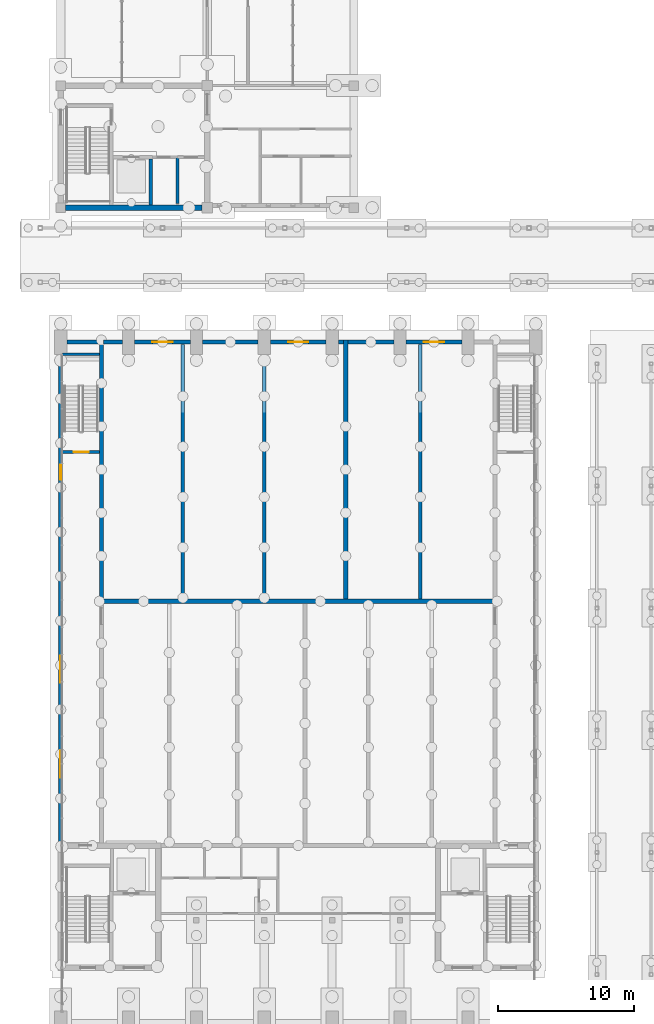
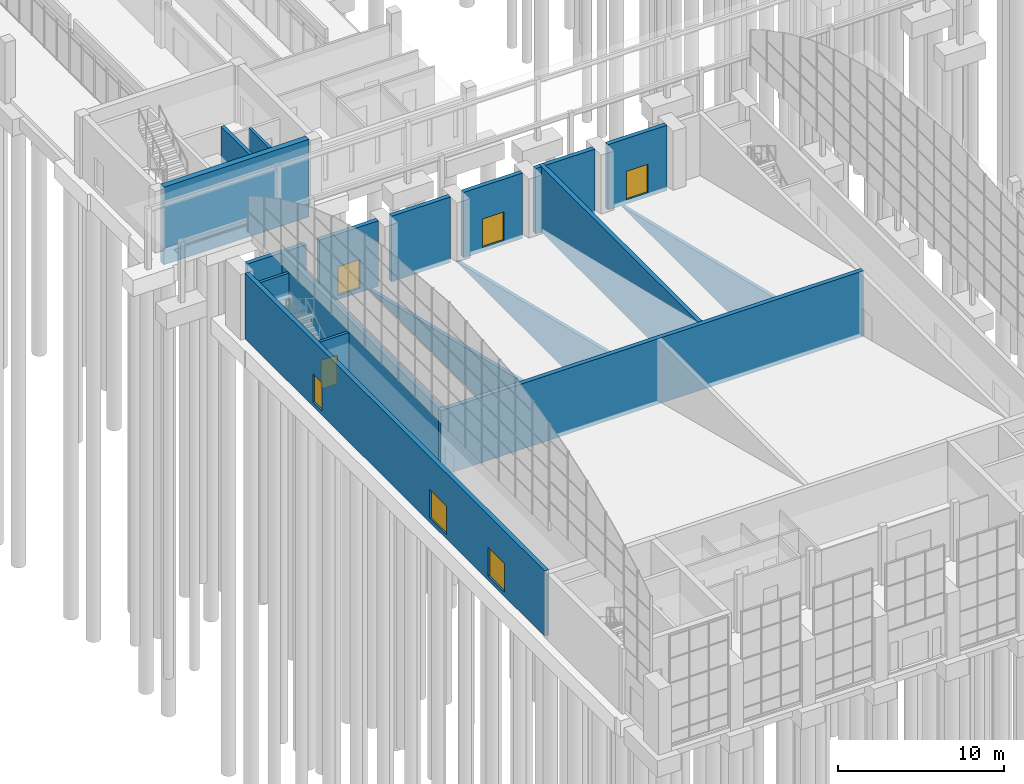
# One storey, part 68 of 106: 20 walls, 7 doors, 7 openings.
"""IFC4 building model written with IfcOpenShell, lengths in metres."""

from ifc_helpers import new_model, si_unit, direction, frame, frame_2d, origin, place, context, subcontext, project, spatial, polyline, rectangle, outline, extrude, material, layer, layer_set, type_object, element, fill, save


model = new_model("IFC4")

# Units and contexts
model_context = context("Model", 3, precision=1e-05, world=origin(), true_north=direction((0.0, 1.0)))
body_context = subcontext(model_context, "Body", "Model", "MODEL_VIEW")
ifc_project = project(units=[si_unit("LENGTHUNIT", "METRE"), si_unit("AREAUNIT", "SQUARE_METRE"), si_unit("VOLUMEUNIT", "CUBIC_METRE"), si_unit("PLANEANGLEUNIT", "RADIAN"), si_unit("MASSUNIT", "GRAM", prefix="KILO")], contexts=[model_context])

# Site, building, storey
site_placement = place(None, origin())
site = spatial("IfcSite", under=ifc_project, at=site_placement, CompositionType="ELEMENT")
building_placement = place(site_placement, origin())
building = spatial("IfcBuilding", under=site, at=building_placement, Name="Merrow Basin Faculty of Sciences", CompositionType="ELEMENT")
storey_placement = place(building_placement, origin())
storey = spatial("IfcBuildingStorey", under=building, at=storey_placement, Name="L00", CompositionType="ELEMENT", Elevation=0.0)

# Walls
ifc_material_1 = material(Name="Concrete C40/50", Category="concrete")
ifc_layer_1 = layer(ifc_material_1, 0.300048828125)
ifc_layer_set_1 = layer_set([ifc_layer_1], Name="Hall wall 300 Concrete C40/50")
wall_type_1 = type_object("IfcWallType", Name="Hall wall 300 Concrete C40/50", PredefinedType="SHEAR", material=ifc_layer_set_1)
wall_1_placement = place(storey_placement, frame((2.85009765625, 32.0, -0.300048828125), z_axis=(0.0, 0.0, 1.0), x_axis=(1.0, 0.0, 0.0)))
element("IfcWall", 1, at=wall_1_placement, inside=storey, type_object=wall_type_1, Name="SW7 L00 018", PredefinedType="SHEAR", context=body_context, shape_type="SweptSolid", body=[
    extrude(rectangle(XDim=29.2998046875, YDim=0.300048828125, at=frame_2d((14.64990234375, 0.0))), origin(), (0.0, 0.0, 1.0), 4.800048828125),
])
for number, where, z_axis, x_axis, name in (
    (2, (3.0, 32.14990234375, -0.300048828125), (0.0, 0.0, 1.0), (0.0, 1.0, 0.0), "SW7 L00 019"),
    (3, (21.0, 32.14990234375, -0.300048828125), (0.0, 0.0, 1.0), (0.0, 1.0, 0.0), "SW7 L00 024"),
):
    element("IfcWall", number, at=place(storey_placement, frame(where, z_axis=z_axis, x_axis=x_axis)), inside=storey, type_object=wall_type_1, Name=name, PredefinedType="SHEAR", context=body_context, shape_type="SweptSolid", body=[
        extrude(rectangle(XDim=19.10009765625, YDim=0.300048828125, at=frame_2d((9.550048828125, 0.0))), origin(), (0.0, 0.0, 1.0), 4.800048828125),
    ])

# Wall, openings, doors
wall_2_placement = place(storey_placement, frame((0.0, 14.199951171875, -0.300048828125), z_axis=(0.0, 0.0, 1.0), x_axis=(0.0, 1.0, 0.0)))
wall_2 = element("IfcWall", 4, at=wall_2_placement, inside=storey, type_object=wall_type_1, Name="SW7 L00 025", PredefinedType="SHEAR", context=body_context, shape_type="SweptSolid", body=[
    extrude(rectangle(XDim=36.0, YDim=0.300048828125, at=frame_2d((18.0, 0.0))), origin(), (0.0, 0.0, 1.0), 4.800048828125),
])
opening_1_placement = place(wall_2_placement, frame((4.800048828125, 0.0, 0.300048828125)))
opening_1 = element("IfcOpeningElement", 5, at=opening_1_placement, cuts=wall_2, Name="Opening D00H007", PredefinedType="OPENING", context=body_context, shape_type="SweptSolid", body=[
    extrude(rectangle(XDim=2.0, YDim=2.10009765625, at=frame_2d((1.0, 1.050048828125))), frame((0.0, 0.159912109375, 0.0), z_axis=(0.0, -1.0, 0.0), x_axis=(1.0, 0.0, 0.0)), (0.0, 0.0, 1.0), 0.320068359375),
])
opening_2_placement = place(wall_2_placement, frame((11.800048828125, 0.0, 0.300048828125)))
opening_2 = element("IfcOpeningElement", 6, at=opening_2_placement, cuts=wall_2, Name="Opening D00H008", PredefinedType="OPENING", context=body_context, shape_type="SweptSolid", body=[
    extrude(rectangle(XDim=2.0, YDim=2.10009765625, at=frame_2d((1.0, 1.050048828125))), frame((0.0, 0.159912109375, 0.0), z_axis=(0.0, -1.0, 0.0), x_axis=(1.0, 0.0, 0.0)), (0.0, 0.0, 1.0), 0.320068359375),
])
opening_3_placement = place(wall_2_placement, frame((26.75, 0.0, 0.300048828125)))
opening_3 = element("IfcOpeningElement", 7, at=opening_3_placement, cuts=wall_2, Name="Opening D00H009", PredefinedType="OPENING", context=body_context, shape_type="SweptSolid", body=[
    extrude(rectangle(XDim=1.10009765625, YDim=2.10009765625, at=frame_2d((0.550048828125, 1.050048828125))), frame((0.0, 0.159912109375, 0.0), z_axis=(0.0, -1.0, 0.0), x_axis=(1.0, 0.0, 0.0)), (0.0, 0.0, 1.0), 0.320068359375),
])
ifc_material_2 = material(Name="Fire-rated steel door", Category="steel")
door_type_1 = type_object("IfcDoorType", Name="Fire door FD60 2000 x 2100", OperationType="NOTDEFINED", PredefinedType="DOOR", material=ifc_material_2)
door_1_placement = place(opening_1_placement, origin())
door_1 = element("IfcDoor", 8, at=door_1_placement, inside=storey, type_object=door_type_1, Name="Theatre side exit W", OperationType="DOUBLE_DOOR_SINGLE_SWING", OverallHeight=2.10009765625, OverallWidth=2.0, PredefinedType="DOOR", context=body_context, shape_type="SweptSolid", body=[
    extrude(rectangle(XDim=2.0, YDim=2.10009765625, at=frame_2d((1.0, 1.050048828125))), frame((0.0, 0.02490234375, 0.0), z_axis=(0.0, -1.0, 0.0), x_axis=(1.0, 0.0, 0.0)), (0.0, 0.0, 1.0), 0.050048828125),
])
fill(opening_1, door_1)
door_2_placement = place(opening_2_placement, origin())
door_2 = element("IfcDoor", 9, at=door_2_placement, inside=storey, type_object=door_type_1, Name="Theatre side exit W", OperationType="DOUBLE_DOOR_SINGLE_SWING", OverallHeight=2.10009765625, OverallWidth=2.0, PredefinedType="DOOR", context=body_context, shape_type="SweptSolid", body=[
    extrude(rectangle(XDim=2.0, YDim=2.10009765625, at=frame_2d((1.0, 1.050048828125))), frame((0.0, 0.02490234375, 0.0), z_axis=(0.0, -1.0, 0.0), x_axis=(1.0, 0.0, 0.0)), (0.0, 0.0, 1.0), 0.050048828125),
])
fill(opening_2, door_2)
ifc_material_3 = material(Name="Fire-rated steel door", Category="steel")
door_type_2 = type_object("IfcDoorType", Name="Fire door FD90 1100 x 2100", OperationType="NOTDEFINED", PredefinedType="DOOR", material=ifc_material_3)
door_3_placement = place(opening_3_placement, origin())
door_3 = element("IfcDoor", 10, at=door_3_placement, inside=storey, type_object=door_type_2, Name="Corridor W north exit door", OperationType="SINGLE_SWING_RIGHT", OverallHeight=2.10009765625, OverallWidth=1.10009765625, PredefinedType="DOOR", context=body_context, shape_type="SweptSolid", body=[
    extrude(rectangle(XDim=1.10009765625, YDim=2.10009765625, at=frame_2d((0.550048828125, 1.050048828125))), frame((0.0, 0.02490234375, 0.0), z_axis=(0.0, -1.0, 0.0), x_axis=(1.0, 0.0, 0.0)), (0.0, 0.0, 1.0), 0.050048828125),
])
fill(opening_3, door_3)

# Wall
wall_3_placement = place(storey_placement, frame((10.449951171875, 51.10009765625, -0.300048828125), z_axis=(0.0, 0.0, 1.0), x_axis=(1.0, 0.0, 0.0)))
element("IfcWall", 11, at=wall_3_placement, inside=storey, type_object=wall_type_1, Name="SW7 L00 027", PredefinedType="SHEAR", context=body_context, shape_type="SweptSolid", body=[
    extrude(rectangle(XDim=4.10009765625, YDim=0.300048828125, at=frame_2d((2.050048828125, 0.0))), origin(), (0.0, 0.0, 1.0), 4.800048828125),
])

# Wall, opening, door
wall_4_placement = place(storey_placement, frame((15.449951171875, 51.10009765625, -0.300048828125), z_axis=(0.0, 0.0, 1.0), x_axis=(1.0, 0.0, 0.0)))
wall_4 = element("IfcWall", 12, at=wall_4_placement, inside=storey, type_object=wall_type_1, Name="SW7 L00 028", PredefinedType="SHEAR", context=body_context, shape_type="SweptSolid", body=[
    extrude(rectangle(XDim=4.10009765625, YDim=0.300048828125, at=frame_2d((2.050048828125, 0.0))), origin(), (0.0, 0.0, 1.0), 4.800048828125),
])
opening_4_placement = place(wall_4_placement, frame((1.300048828125, 0.0, 0.300048828125)))
opening_4 = element("IfcOpeningElement", 13, at=opening_4_placement, cuts=wall_4, Name="Opening D00H024", PredefinedType="OPENING", context=body_context, shape_type="SweptSolid", body=[
    extrude(rectangle(XDim=1.5, YDim=2.10009765625, at=frame_2d((0.75, 1.050048828125))), frame((0.0, 0.159912109375, 0.0), z_axis=(0.0, -1.0, 0.0), x_axis=(1.0, 0.0, 0.0)), (0.0, 0.0, 1.0), 0.320068359375),
])
ifc_material_4 = material(Name="Timber door leaf", Category="wood")
door_type_3 = type_object("IfcDoorType", Name="Double swing door 1500 x 2100", OperationType="NOTDEFINED", PredefinedType="DOOR", material=ifc_material_4)
door_4_placement = place(opening_4_placement, origin())
door_4 = element("IfcDoor", 14, at=door_4_placement, inside=storey, type_object=door_type_3, Name="Lecture Theatre 1 north exit", OperationType="DOUBLE_DOOR_SINGLE_SWING", OverallHeight=2.10009765625, OverallWidth=1.5, PredefinedType="DOOR", context=body_context, shape_type="SweptSolid", body=[
    extrude(rectangle(XDim=1.5, YDim=2.10009765625, at=frame_2d((0.75, 1.050048828125))), frame((0.0, 0.02490234375, 0.0), z_axis=(0.0, -1.0, 0.0), x_axis=(1.0, 0.0, 0.0)), (0.0, 0.0, 1.0), 0.050048828125),
])
fill(opening_4, door_4)

wall_5_placement = place(storey_placement, frame((25.449951171875, 51.10009765625, -0.300048828125), z_axis=(0.0, 0.0, 1.0), x_axis=(1.0, 0.0, 0.0)))
wall_5 = element("IfcWall", 15, at=wall_5_placement, inside=storey, type_object=wall_type_1, Name="SW7 L00 029", PredefinedType="SHEAR", context=body_context, shape_type="SweptSolid", body=[
    extrude(rectangle(XDim=4.10009765625, YDim=0.300048828125, at=frame_2d((2.050048828125, 0.0))), origin(), (0.0, 0.0, 1.0), 4.800048828125),
])
opening_5_placement = place(wall_5_placement, frame((1.300048828125, 0.0, 0.300048828125)))
opening_5 = element("IfcOpeningElement", 16, at=opening_5_placement, cuts=wall_5, Name="Opening D00H025", PredefinedType="OPENING", context=body_context, shape_type="SweptSolid", body=[
    extrude(rectangle(XDim=1.5, YDim=2.10009765625, at=frame_2d((0.75, 1.050048828125))), frame((0.0, 0.159912109375, 0.0), z_axis=(0.0, -1.0, 0.0), x_axis=(1.0, 0.0, 0.0)), (0.0, 0.0, 1.0), 0.320068359375),
])
door_5_placement = place(opening_5_placement, origin())
door_5 = element("IfcDoor", 17, at=door_5_placement, inside=storey, type_object=door_type_3, Name="Lecture Theatre 4 north exit", OperationType="DOUBLE_DOOR_SINGLE_SWING", OverallHeight=2.10009765625, OverallWidth=1.5, PredefinedType="DOOR", context=body_context, shape_type="SweptSolid", body=[
    extrude(rectangle(XDim=1.5, YDim=2.10009765625, at=frame_2d((0.75, 1.050048828125))), frame((0.0, 0.02490234375, 0.0), z_axis=(0.0, -1.0, 0.0), x_axis=(1.0, 0.0, 0.0)), (0.0, 0.0, 1.0), 0.050048828125),
])
fill(opening_5, door_5)

wall_6_placement = place(storey_placement, frame((5.449951171875, 51.10009765625, -0.300048828125), z_axis=(0.0, 0.0, 1.0), x_axis=(1.0, 0.0, 0.0)))
wall_6 = element("IfcWall", 18, at=wall_6_placement, inside=storey, type_object=wall_type_1, Name="SW7 L00 030", PredefinedType="SHEAR", context=body_context, shape_type="SweptSolid", body=[
    extrude(rectangle(XDim=4.10009765625, YDim=0.300048828125, at=frame_2d((2.050048828125, 0.0))), origin(), (0.0, 0.0, 1.0), 4.800048828125),
])
opening_6_placement = place(wall_6_placement, frame((1.300048828125, 0.0, 0.300048828125)))
opening_6 = element("IfcOpeningElement", 19, at=opening_6_placement, cuts=wall_6, Name="Opening D00H023", PredefinedType="OPENING", context=body_context, shape_type="SweptSolid", body=[
    extrude(rectangle(XDim=1.5, YDim=2.10009765625, at=frame_2d((0.75, 1.050048828125))), frame((0.0, 0.159912109375, 0.0), z_axis=(0.0, -1.0, 0.0), x_axis=(1.0, 0.0, 0.0)), (0.0, 0.0, 1.0), 0.320068359375),
])
door_6_placement = place(opening_6_placement, origin())
door_6 = element("IfcDoor", 20, at=door_6_placement, inside=storey, type_object=door_type_3, Name="Lecture Theatre 1 north exit", OperationType="DOUBLE_DOOR_SINGLE_SWING", OverallHeight=2.10009765625, OverallWidth=1.5, PredefinedType="DOOR", context=body_context, shape_type="SweptSolid", body=[
    extrude(rectangle(XDim=1.5, YDim=2.10009765625, at=frame_2d((0.75, 1.050048828125))), frame((0.0, 0.02490234375, 0.0), z_axis=(0.0, -1.0, 0.0), x_axis=(1.0, 0.0, 0.0)), (0.0, 0.0, 1.0), 0.050048828125),
])
fill(opening_6, door_6)

# Walls
wall_7_placement = place(storey_placement, frame((21.14990234375, 51.10009765625, -0.300048828125), z_axis=(0.0, 0.0, 1.0), x_axis=(1.0, 0.0, 0.0)))
element("IfcWall", 21, at=wall_7_placement, inside=storey, type_object=wall_type_1, Name="SW7 L00 031", PredefinedType="SHEAR", context=body_context, shape_type="SweptSolid", body=[
    extrude(rectangle(XDim=3.400146484375, YDim=0.300048828125, at=frame_2d((1.7001953125, 0.0))), origin(), (0.0, 0.0, 1.0), 4.800048828125),
])
wall_8_placement = place(storey_placement, frame((0.449951171875, 51.10009765625, -0.300048828125), z_axis=(0.0, 0.0, 1.0), x_axis=(1.0, 0.0, 0.0)))
element("IfcWall", 22, at=wall_8_placement, inside=storey, type_object=wall_type_1, Name="SW7 L00 032", PredefinedType="SHEAR", context=body_context, shape_type="SweptSolid", body=[
    extrude(rectangle(XDim=2.400146484375, YDim=0.300048828125, at=frame_2d((1.2001953125, 0.0))), origin(), (0.0, 0.0, 1.0), 4.800048828125),
])
wall_9_placement = place(storey_placement, frame((3.14990234375, 51.10009765625, -0.300048828125), z_axis=(0.0, 0.0, 1.0), x_axis=(1.0, 0.0, 0.0)))
element("IfcWall", 23, at=wall_9_placement, inside=storey, type_object=wall_type_1, Name="SW7 L00 035", PredefinedType="SHEAR", context=body_context, shape_type="SweptSolid", body=[
    extrude(rectangle(XDim=1.400146484375, YDim=0.300048828125, at=frame_2d((0.7001953125, 0.0))), origin(), (0.0, 0.0, 1.0), 4.800048828125),
])
wall_10_placement = place(storey_placement, frame((20.449951171875, 51.10009765625, -0.300048828125), z_axis=(0.0, 0.0, 1.0), x_axis=(1.0, 0.0, 0.0)))
element("IfcWall", 24, at=wall_10_placement, inside=storey, type_object=wall_type_1, Name="SW7 L00 036", PredefinedType="SHEAR", context=body_context, shape_type="SweptSolid", body=[
    extrude(rectangle(XDim=0.400146484375, YDim=0.300048828125, at=frame_2d((0.2001953125, 0.0))), origin(), (0.0, 0.0, 1.0), 4.800048828125),
])
ifc_material_5 = material(Name="Concrete C40/50", Category="concrete")
ifc_layer_2 = layer(ifc_material_5, 0.25)
ifc_layer_set_2 = layer_set([ifc_layer_2], Name="Raked support wall 250 Concrete C40/50")
wall_type_2 = type_object("IfcWallType", Name="Raked support wall 250 Concrete C40/50", PredefinedType="SHEAR", material=ifc_layer_set_2)
for number, where, z_axis, x_axis, name in (
    (25, (9.0, 32.14990234375, -0.300048828125), (0.0, 0.0, 1.0), (0.0, 1.0, 0.0), "LT1 raked support wall 1"),
    (26, (15.0, 32.14990234375, -0.300048828125), (0.0, 0.0, 1.0), (0.0, 1.0, 0.0), "LT1 raked support wall 2"),
    (27, (26.5, 32.14990234375, -0.300048828125), (0.0, 0.0, 1.0), (0.0, 1.0, 0.0), "LT4 raked support wall 1"),
):
    element("IfcWall", number, at=place(storey_placement, frame(where, z_axis=z_axis, x_axis=x_axis)), inside=storey, type_object=wall_type_2, Name=name, PredefinedType="SHEAR", context=body_context, shape_type="SweptSolid", body=[
        extrude(outline(polyline([(0.0, 0.0), (18.76513671875, 0.0), (18.764892578125, 0.0), (14.072998046875, 1.123046875), (9.382080078125, 2.24609375), (4.69091796875, 3.369140625), (0.0, 4.491943359375), (0.0, 0.0)])), frame((0.0, 0.125, 0.0), z_axis=(0.0, -1.0, 0.0), x_axis=(1.0, 0.0, 0.0)), (0.0, 0.0, 1.0), 0.25),
    ])
ifc_material_6 = material(Name="Fire-rated gypsum board")
ifc_layer_3 = layer(ifc_material_6, 0.199951171875)
ifc_layer_set_3 = layer_set([ifc_layer_3], Name="Riser lining 200 fire-rated board on steel studs")
wall_type_3 = type_object("IfcWallType", Name="Riser lining 200 fire-rated board on steel studs", PredefinedType="PARTITIONING", material=ifc_layer_set_3)
wall_11_placement = place(storey_placement, frame((8.60009765625, 61.300048828125, 0.0), z_axis=(0.0, 0.0, 1.0), x_axis=(0.0, 1.0, 0.0)))
element("IfcWall", 28, at=wall_11_placement, inside=storey, type_object=wall_type_3, Name="IW200 L00 001", PredefinedType="PARTITIONING", context=body_context, shape_type="SweptSolid", body=[
    extrude(rectangle(XDim=3.425048828125, YDim=0.199951171875, at=frame_2d((1.71240234375, 0.0))), origin(), (0.0, 0.0, 1.0), 3.300048828125),
])

# Wall, opening, door
wall_12_placement = place(storey_placement, frame((0.14990234375, 43.0, 0.0), z_axis=(0.0, 0.0, 1.0), x_axis=(1.0, 0.0, 0.0)))
wall_12 = element("IfcWall", 29, at=wall_12_placement, inside=storey, type_object=wall_type_3, Name="IW200 L00 001", PredefinedType="PARTITIONING", context=body_context, shape_type="SweptSolid", body=[
    extrude(rectangle(XDim=2.7001953125, YDim=0.199951171875, at=frame_2d((1.35009765625, 0.0))), origin(), (0.0, 0.0, 1.0), 3.52001953125),
])
opening_7_placement = place(wall_12_placement, frame((0.800048828125, 0.0, 0.0)))
opening_7 = element("IfcOpeningElement", 30, at=opening_7_placement, cuts=wall_12, Name="Opening D00H010", PredefinedType="OPENING", context=body_context, shape_type="SweptSolid", body=[
    extrude(rectangle(XDim=1.10009765625, YDim=2.10009765625, at=frame_2d((0.550048828125, 1.050048828125))), frame((0.0, 0.10986328125, 0.0), z_axis=(0.0, -1.0, 0.0), x_axis=(1.0, 0.0, 0.0)), (0.0, 0.0, 1.0), 0.219970703125),
])
door_7_placement = place(opening_7_placement, origin())
door_7 = element("IfcDoor", 31, at=door_7_placement, inside=storey, type_object=door_type_2, Name="Corridor stair W door", OperationType="SINGLE_SWING_LEFT", OverallHeight=2.10009765625, OverallWidth=1.10009765625, PredefinedType="DOOR", context=body_context, shape_type="SweptSolid", body=[
    extrude(rectangle(XDim=1.10009765625, YDim=2.10009765625, at=frame_2d((0.550048828125, 1.050048828125))), frame((0.0, 0.02490234375, 0.0), z_axis=(0.0, -1.0, 0.0), x_axis=(1.0, 0.0, 0.0)), (0.0, 0.0, 1.0), 0.050048828125),
])
fill(opening_7, door_7)

# Walls
wall_13_placement = place(storey_placement, frame((0.14990234375, 50.199951171875, 0.0), z_axis=(0.0, 0.0, 1.0), x_axis=(1.0, 0.0, 0.0)))
element("IfcWall", 32, at=wall_13_placement, inside=storey, type_object=wall_type_3, Name="IW200 L00 013", PredefinedType="PARTITIONING", context=body_context, shape_type="SweptSolid", body=[
    extrude(rectangle(XDim=2.7001953125, YDim=0.199951171875, at=frame_2d((1.35009765625, 0.0))), origin(), (0.0, 0.0, 1.0), 3.52001953125),
])
ifc_material_7 = material(Name="Concrete C40/50", Category="concrete")
ifc_layer_4 = layer(ifc_material_7, 0.25)
ifc_layer_set_4 = layer_set([ifc_layer_4], Name="Shear wall 250 Concrete C40/50")
wall_type_4 = type_object("IfcWallType", Name="Shear wall 250 Concrete C40/50", PredefinedType="SHEAR", material=ifc_layer_set_4)
wall_14_placement = place(storey_placement, frame((6.625, 61.199951171875, -1.5), z_axis=(0.0, 0.0, 1.0), x_axis=(0.0, 1.0, 0.0)))
element("IfcWall", 33, at=wall_14_placement, inside=storey, type_object=wall_type_4, Name="SW2 L00 008", PredefinedType="SHEAR", context=body_context, shape_type="SweptSolid", body=[
    extrude(rectangle(XDim=3.400146484375, YDim=0.25, at=frame_2d((1.7001953125, 0.0))), origin(), (0.0, 0.0, 1.0), 5.699951171875),
])
ifc_material_8 = material(Name="Concrete C40/50", Category="concrete")
ifc_layer_5 = layer(ifc_material_8, 0.39990234375)
ifc_layer_set_5 = layer_set([ifc_layer_5], Name="Shear wall 400 Concrete C40/50")
wall_type_5 = type_object("IfcWallType", Name="Shear wall 400 Concrete C40/50", PredefinedType="SHEAR", material=ifc_layer_set_5)
wall_15_placement = place(storey_placement, frame((0.35009765625, 61.0, -1.5), z_axis=(0.0, 0.0, 1.0), x_axis=(1.0, 0.0, 0.0)))
element("IfcWall", 34, at=wall_15_placement, inside=storey, type_object=wall_type_5, Name="SW1 L00 001", PredefinedType="SHEAR", context=body_context, shape_type="SweptSolid", body=[
    extrude(rectangle(XDim=10.074951171875, YDim=0.39990234375, at=frame_2d((5.03759765625, 0.0))), origin(), (0.0, 0.0, 1.0), 5.699951171875),
])

save(model, "model.ifc")
